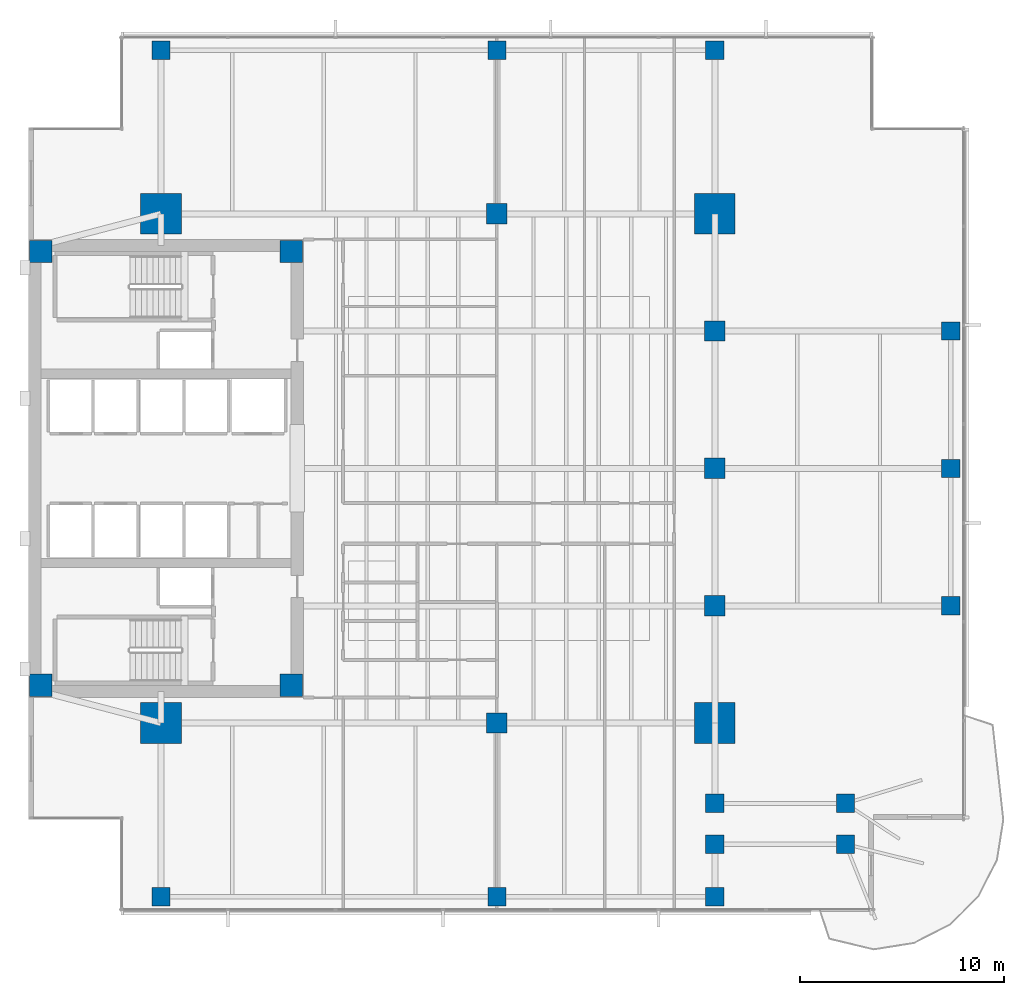
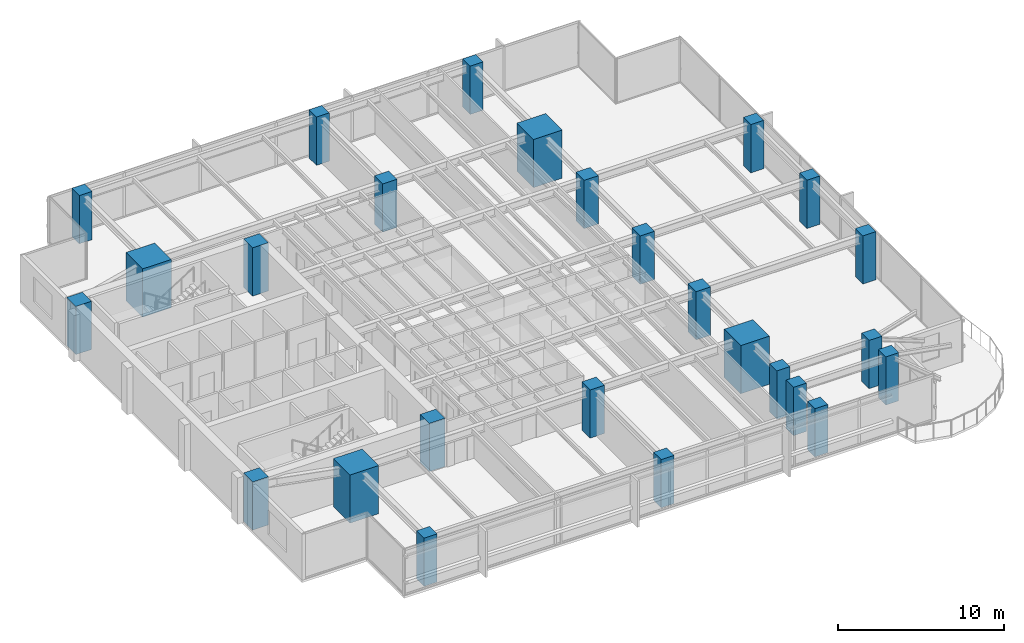
# One storey, part 1 of 14: 26 columns.
"""IFC4 building model written with IfcOpenShell, lengths in metres."""

from ifc_helpers import new_model, si_unit, direction, frame, origin, origin_2d, place, context, subcontext, project, spatial, rectangle, extrude, material, material_profile, profile_set, type_object, element, save


model = new_model("IFC4")

# Units and contexts
model_context = context("Model", 3, precision=1e-05, world=origin(), true_north=direction((0.0, 1.0)))
body_context = subcontext(model_context, "Body", "Model", "MODEL_VIEW")
ifc_project = project(units=[si_unit("LENGTHUNIT", "METRE"), si_unit("AREAUNIT", "SQUARE_METRE"), si_unit("VOLUMEUNIT", "CUBIC_METRE"), si_unit("PLANEANGLEUNIT", "RADIAN"), si_unit("MASSUNIT", "GRAM", prefix="KILO")], contexts=[model_context])

# Site, building, storey
site_placement = place(None, origin())
site = spatial("IfcSite", under=ifc_project, at=site_placement, CompositionType="ELEMENT")
building_placement = place(site_placement, origin())
building = spatial("IfcBuilding", under=site, at=building_placement, Name="Kinhvarn Gate Tower", CompositionType="ELEMENT")
storey_placement = place(building_placement, frame((0.0, 0.0, 134.199951171875)))
storey = spatial("IfcBuildingStorey", under=building, at=storey_placement, Name="L35", CompositionType="ELEMENT", Elevation=134.199951171875)

# Columns
ifc_material = material(Name="Concrete C60/75", Category="concrete")
ifc_material_profile_1 = material_profile(ifc_material, rectangle(XDim=2.0, YDim=2.0, at=origin_2d()), Name="RC 2000x2000")
ifc_profile_set_1 = profile_set([ifc_material_profile_1], Name="Concrete C60/75")
column_type_1 = type_object("IfcColumnType", Name="COL-MC-2000", PredefinedType="COLUMN", material=ifc_profile_set_1)
for number, where, z_axis, x_axis, name in (
    (1, (11.0, 12.75, 0.0), (0.0, 0.0, 1.0), (1.0, 0.0, 0.0), "Column MC1-L35 (MC-20)"),
    (2, (11.0, 37.75, 0.0), (0.0, 0.0, 1.0), (1.0, 0.0, 0.0), "Column MC4-L35 (MC-20)"),
    (3, (38.199951171875, 12.75, 0.0), (0.0, 0.0, 1.0), (1.0, 0.0, 0.0), "Column MC2-L35 (MC-20)"),
    (4, (38.199951171875, 37.75, 0.0), (0.0, 0.0, 1.0), (1.0, 0.0, 0.0), "Column MC3-L35 (MC-20)"),
):
    element("IfcColumn", number, at=place(storey_placement, frame(where, z_axis=z_axis, x_axis=x_axis)), inside=storey, type_object=column_type_1, Name=name, PredefinedType="COLUMN", context=body_context, shape_type="SweptSolid", body=[
        extrude(rectangle(XDim=2.0, YDim=2.0, at=origin_2d()), origin(), (0.0, 0.0, 1.0), 3.550048828125),
    ])
ifc_material_profile_2 = material_profile(ifc_material, rectangle(XDim=1.0, YDim=1.0, at=origin_2d()), Name="RC 1000x1000")
ifc_profile_set_2 = profile_set([ifc_material_profile_2], Name="Concrete C60/75")
column_type_2 = type_object("IfcColumnType", Name="COL-RC-1000", PredefinedType="COLUMN", material=ifc_profile_set_2)
for number, where, z_axis, x_axis, name in (
    (5, (27.5, 12.75, 0.0), (0.0, 0.0, 1.0), (1.0, 0.0, 0.0), "Column SP27-S-L35 (C-100)"),
    (6, (27.5, 37.75, 0.0), (0.0, 0.0, 1.0), (1.0, 0.0, 0.0), "Column SP27-N-L35 (C-100)"),
    (7, (38.199951171875, 18.5, 0.0), (0.0, 0.0, 1.0), (1.0, 0.0, 0.0), "Column SP38-E1-L35 (C-100)"),
    (8, (38.199951171875, 25.25, 0.0), (0.0, 0.0, 1.0), (1.0, 0.0, 0.0), "Column SP38-E2-L35 (C-100)"),
    (9, (38.199951171875, 32.0, 0.0), (0.0, 0.0, 1.0), (1.0, 0.0, 0.0), "Column SP38-E3-L35 (C-100)"),
):
    element("IfcColumn", number, at=place(storey_placement, frame(where, z_axis=z_axis, x_axis=x_axis)), inside=storey, type_object=column_type_2, Name=name, PredefinedType="COLUMN", context=body_context, shape_type="SweptSolid", body=[
        extrude(rectangle(XDim=1.0, YDim=1.0, at=origin_2d()), origin(), (0.0, 0.0, 1.0), 3.550048828125),
    ])
ifc_material_profile_3 = material_profile(ifc_material, rectangle(XDim=0.89990234375, YDim=0.89990234375, at=origin_2d()), Name="RC 900x900")
ifc_profile_set_3 = profile_set([ifc_material_profile_3], Name="Concrete C60/75")
column_type_3 = type_object("IfcColumnType", Name="COL-RC-900", PredefinedType="COLUMN", material=ifc_profile_set_3)
for number, where, z_axis, x_axis, name in (
    (10, (38.199951171875, 6.800048828125, 0.0), (0.0, 0.0, 1.0), (1.0, 0.0, 0.0), "Column CS-ANC68-L35 (C-090)"),
    (11, (38.199951171875, 8.800048828125, 0.0), (0.0, 0.0, 1.0), (1.0, 0.0, 0.0), "Column CS-ANC88-L35 (C-090)"),
    (12, (44.6201171875, 6.800048828125, 0.0), (0.0, 0.0, 1.0), (1.0, 0.0, 0.0), "Column CS-SE2-L35 (C-090)"),
    (13, (44.6201171875, 8.800048828125, 0.0), (0.0, 0.0, 1.0), (1.0, 0.0, 0.0), "Column CS-SE2B-L35 (C-090)"),
    (14, (49.780029296875, 18.5, 0.0), (0.0, 0.0, 1.0), (1.0, 0.0, 0.0), "Column CE-1-L35 (C-090)"),
    (15, (49.780029296875, 25.25, 0.0), (0.0, 0.0, 1.0), (1.0, 0.0, 0.0), "Column CE-2-L35 (C-090)"),
    (16, (49.780029296875, 32.0, 0.0), (0.0, 0.0, 1.0), (1.0, 0.0, 0.0), "Column CE-3-L35 (C-090)"),
    (17, (11.0, 4.219970703125, 0.0), (0.0, 0.0, 1.0), (1.0, 0.0, 0.0), "Column CS-0-L35 (C-090)"),
    (18, (27.5, 4.219970703125, 0.0), (0.0, 0.0, 1.0), (1.0, 0.0, 0.0), "Column CS-1-L35 (C-090)"),
    (19, (38.199951171875, 4.219970703125, 0.0), (0.0, 0.0, 1.0), (1.0, 0.0, 0.0), "Column CS-2-L35 (C-090)"),
    (20, (11.0, 45.780029296875, 0.0), (0.0, 0.0, 1.0), (1.0, 0.0, 0.0), "Column CN-0-L35 (C-090)"),
    (21, (27.5, 45.780029296875, 0.0), (0.0, 0.0, 1.0), (1.0, 0.0, 0.0), "Column CN-1-L35 (C-090)"),
    (22, (38.199951171875, 45.780029296875, 0.0), (0.0, 0.0, 1.0), (1.0, 0.0, 0.0), "Column CN-2-L35 (C-090)"),
):
    element("IfcColumn", number, at=place(storey_placement, frame(where, z_axis=z_axis, x_axis=x_axis)), inside=storey, type_object=column_type_3, Name=name, PredefinedType="COLUMN", context=body_context, shape_type="SweptSolid", body=[
        extrude(rectangle(XDim=0.89990234375, YDim=0.89990234375, at=origin_2d()), origin(), (0.0, 0.0, 1.0), 3.550048828125),
    ])
ifc_material_profile_4 = material_profile(ifc_material, rectangle(XDim=1.10009765625, YDim=1.10009765625, at=origin_2d()), Name="RC 1100x1100")
ifc_profile_set_4 = profile_set([ifc_material_profile_4], Name="Concrete C60/75")
column_type_4 = type_object("IfcColumnType", Name="PIL-RC-1100", PredefinedType="PILASTER", material=ifc_profile_set_4)
for number, where, z_axis, x_axis, name in (
    (23, (5.10009765625, 14.60009765625, 0.0), (0.0, 0.0, 1.0), (1.0, 0.0, 0.0), "Column CC-SW-L35 (CP-110)"),
    (24, (5.10009765625, 35.89990234375, 0.0), (0.0, 0.0, 1.0), (1.0, 0.0, 0.0), "Column CC-NW-L35 (CP-110)"),
    (25, (17.39990234375, 14.60009765625, 0.0), (0.0, 0.0, 1.0), (1.0, 0.0, 0.0), "Column CC-SE-L35 (CP-110)"),
    (26, (17.39990234375, 35.89990234375, 0.0), (0.0, 0.0, 1.0), (1.0, 0.0, 0.0), "Column CC-NE-L35 (CP-110)"),
):
    element("IfcColumn", number, at=place(storey_placement, frame(where, z_axis=z_axis, x_axis=x_axis)), inside=storey, type_object=column_type_4, Name=name, PredefinedType="PILASTER", context=body_context, shape_type="SweptSolid", body=[
        extrude(rectangle(XDim=1.10009765625, YDim=1.10009765625, at=origin_2d()), origin(), (0.0, 0.0, 1.0), 3.550048828125),
    ])

save(model, "model.ifc")
